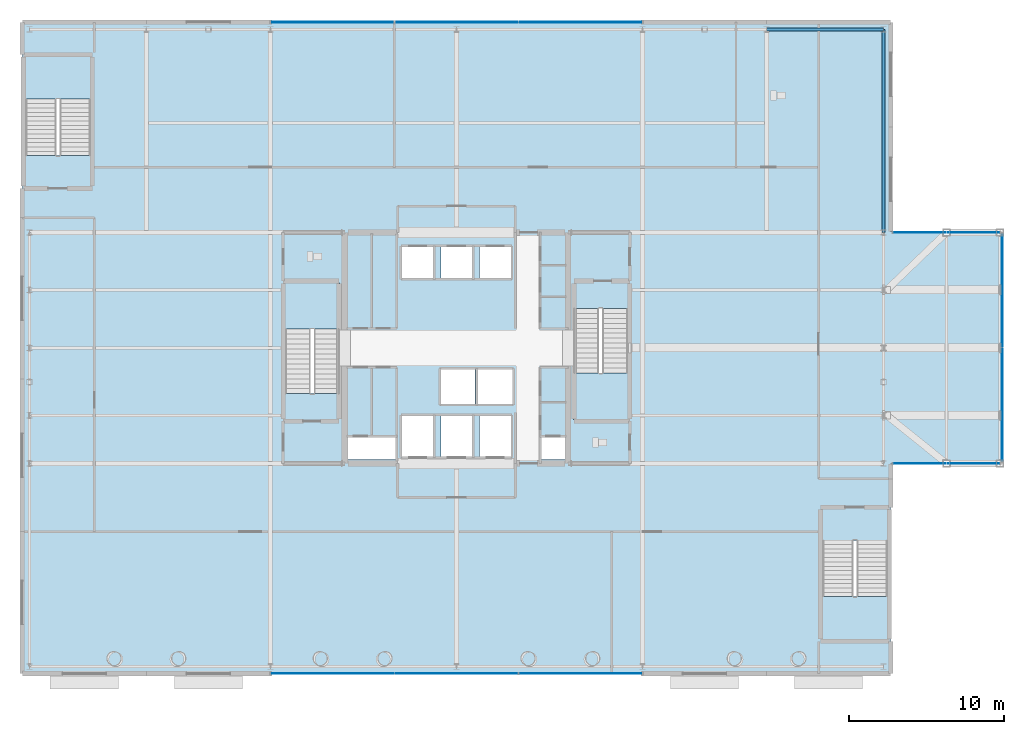
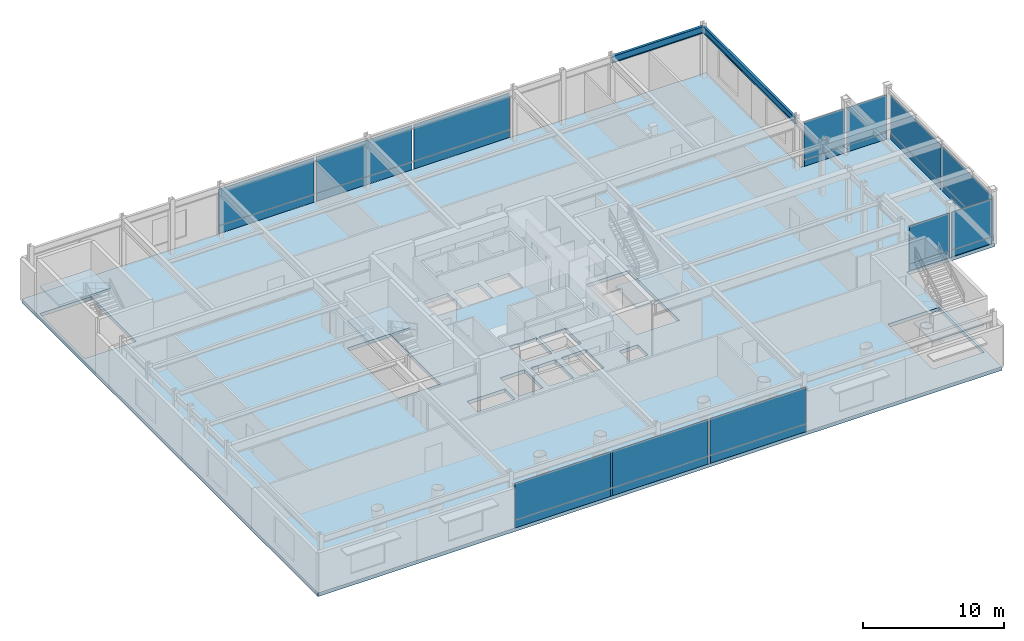
# One storey, part 17 of 26: 24 plates, 5 slabs, 2 beams, 9 elements without a shape of their own.
"""IFC4 building model written with IfcOpenShell, lengths in metres."""

from ifc_helpers import new_model, si_unit, direction, frame, origin, origin_2d, place, context, subcontext, project, spatial, polyline, rectangle, i_section, outline, extrude, material, layer, layer_set, material_profile, profile_set, type_object, element, aggregate, save


model = new_model("IFC4")

# Units and contexts
model_context = context("Model", 3, precision=1e-05, world=origin(), true_north=direction((0.0, 1.0)))
body_context = subcontext(model_context, "Body", "Model", "MODEL_VIEW")
ifc_project = project(units=[si_unit("LENGTHUNIT", "METRE"), si_unit("AREAUNIT", "SQUARE_METRE"), si_unit("VOLUMEUNIT", "CUBIC_METRE"), si_unit("PLANEANGLEUNIT", "RADIAN"), si_unit("MASSUNIT", "GRAM", prefix="KILO")], contexts=[model_context])

# Site, building, storey
site_placement = place(None, origin())
site = spatial("IfcSite", under=ifc_project, at=site_placement, CompositionType="ELEMENT")
building_placement = place(site_placement, origin())
building = spatial("IfcBuilding", under=site, at=building_placement, Name="Veldorina Hangang Commons", CompositionType="ELEMENT")
storey_placement = place(building_placement, frame((0.0, 0.0, 10.0)))
storey = spatial("IfcBuildingStorey", under=building, at=storey_placement, Name="L02", CompositionType="ELEMENT", Elevation=10.0)

# Beams
ifc_material_1 = material(Name="Steel SM420-TMC", Category="steel")
ifc_material_profile = material_profile(ifc_material_1, i_section(OverallWidth=0.199951171875, OverallDepth=0.60009765625, WebThickness=0.010986328125, FlangeThickness=0.01708984375, FilletRadius=0.01806640625, at=origin_2d()), Name="H-600x200x11x17")
ifc_profile_set = profile_set([ifc_material_profile], Name="Steel SM420-TMC")
beam_type = type_object("IfcBeamType", Name="BM-SPN600", PredefinedType="SPANDREL", material=ifc_profile_set)
beam_1_placement = place(storey_placement, frame((52.0, 44.550048828125, 4.199951171875), z_axis=(1.0, 0.0, 0.0), x_axis=(0.0, 1.0, 0.0)))
element("IfcBeam", 1, at=beam_1_placement, inside=storey, type_object=beam_type, Name="L02 north spandrel beam 6", PredefinedType="SPANDREL", context=body_context, shape_type="SweptSolid", body=[
    extrude(i_section(OverallWidth=0.199951171875, OverallDepth=0.60009765625, WebThickness=0.010986328125, FlangeThickness=0.01708984375, FilletRadius=0.01806640625, at=origin_2d()), origin(), (0.0, 0.0, 1.0), 7.550048828125),
])
beam_2_placement = place(storey_placement, frame((59.550048828125, 31.449951171875, 4.199951171875), z_axis=(0.0, 1.0, 0.0), x_axis=(-1.0, 0.0, 0.0)))
element("IfcBeam", 2, at=beam_2_placement, inside=storey, type_object=beam_type, Name="L02 east spandrel beam 6", PredefinedType="SPANDREL", context=body_context, shape_type="SweptSolid", body=[
    extrude(i_section(OverallWidth=0.199951171875, OverallDepth=0.60009765625, WebThickness=0.010986328125, FlangeThickness=0.01708984375, FilletRadius=0.01806640625, at=origin_2d()), origin(), (0.0, 0.0, 1.0), 13.10009765625),
])

# Curtain wall, plates
ifc_material_2 = material(Name="Glass Low-E Triple IGU", Category="glass")
ifc_layer_1 = layer(ifc_material_2, 0.179931640625)
ifc_layer_set_1 = layer_set([ifc_layer_1], Name="Glass Low-E Triple IGU")
curtain_wall_type_1 = type_object("IfcCurtainWallType", Name="CW-SYS-POD", PredefinedType="NOTDEFINED", material=ifc_layer_set_1)
curtain_wall_1_placement = place(storey_placement, origin())
curtain_wall_1 = element("IfcCurtainWall", 3, at=curtain_wall_1_placement, inside=storey, type_object=curtain_wall_type_1, Name="L02 unitised curtain wall CW-L02-S-CTR", PredefinedType="NOTDEFINED")
ifc_material_3 = material(Name="Stone Roman Travertine", Category="masonry")
ifc_layer_2 = layer(ifc_material_3, 0.054931640625)
ifc_layer_set_2 = layer_set([ifc_layer_2], Name="Stone Roman Travertine")
plate_type_1 = type_object("IfcPlateType", Name="CW-PNL-SPN", PredefinedType="USERDEFINED", material=ifc_layer_set_2)
plate_1_placement = place(storey_placement, frame((24.0, 3.0, 0.025146484375), z_axis=(0.0, 0.0, 1.0), x_axis=(1.0, 0.0, 0.0)))
plate_1 = element("IfcPlate", 4, at=plate_1_placement, type_object=plate_type_1, Name="CW-L02-S-CTR facet 1 travertine spandrel panel", ObjectType="SPANDREL", PredefinedType="USERDEFINED", context=body_context, shape_type="SweptSolid", body=[
    extrude(rectangle(XDim=7.820068359375, YDim=0.054931640625, at=origin_2d()), origin(), (0.0, 0.0, 1.0), 0.669921875),
])
plate_2_placement = place(storey_placement, frame((32.0, 3.0, 0.025146484375), z_axis=(0.0, 0.0, 1.0), x_axis=(1.0, 0.0, 0.0)))
plate_2 = element("IfcPlate", 5, at=plate_2_placement, type_object=plate_type_1, Name="CW-L02-S-CTR facet 2 travertine spandrel panel", ObjectType="SPANDREL", PredefinedType="USERDEFINED", context=body_context, shape_type="SweptSolid", body=[
    extrude(rectangle(XDim=7.820068359375, YDim=0.054931640625, at=origin_2d()), origin(), (0.0, 0.0, 1.0), 0.669921875),
])
plate_3_placement = place(storey_placement, frame((40.0, 3.0, 0.025146484375), z_axis=(0.0, 0.0, 1.0), x_axis=(1.0, 0.0, 0.0)))
plate_3 = element("IfcPlate", 6, at=plate_3_placement, type_object=plate_type_1, Name="CW-L02-S-CTR facet 3 travertine spandrel panel", ObjectType="SPANDREL", PredefinedType="USERDEFINED", context=body_context, shape_type="SweptSolid", body=[
    extrude(rectangle(XDim=7.820068359375, YDim=0.054931640625, at=origin_2d()), origin(), (0.0, 0.0, 1.0), 0.669921875),
])

curtain_wall_2_placement = place(storey_placement, origin())
curtain_wall_2 = element("IfcCurtainWall", 7, at=curtain_wall_2_placement, inside=storey, type_object=curtain_wall_type_1, Name="L02 unitised curtain wall CW-L02-N-CTR", PredefinedType="NOTDEFINED")
plate_4_placement = place(storey_placement, frame((40.0, 45.0, 0.025146484375), z_axis=(0.0, 0.0, 1.0), x_axis=(-1.0, 0.0, 0.0)))
plate_4 = element("IfcPlate", 8, at=plate_4_placement, type_object=plate_type_1, Name="CW-L02-N-CTR facet 1 travertine spandrel panel", ObjectType="SPANDREL", PredefinedType="USERDEFINED", context=body_context, shape_type="SweptSolid", body=[
    extrude(rectangle(XDim=7.820068359375, YDim=0.054931640625, at=origin_2d()), origin(), (0.0, 0.0, 1.0), 0.669921875),
])
plate_5_placement = place(storey_placement, frame((32.0, 45.0, 0.025146484375), z_axis=(0.0, 0.0, 1.0), x_axis=(-1.0, 0.0, 0.0)))
plate_5 = element("IfcPlate", 9, at=plate_5_placement, type_object=plate_type_1, Name="CW-L02-N-CTR facet 2 travertine spandrel panel", ObjectType="SPANDREL", PredefinedType="USERDEFINED", context=body_context, shape_type="SweptSolid", body=[
    extrude(rectangle(XDim=7.820068359375, YDim=0.054931640625, at=origin_2d()), origin(), (0.0, 0.0, 1.0), 0.669921875),
])
plate_6_placement = place(storey_placement, frame((24.0, 45.0, 0.025146484375), z_axis=(0.0, 0.0, 1.0), x_axis=(-1.0, 0.0, 0.0)))
plate_6 = element("IfcPlate", 10, at=plate_6_placement, type_object=plate_type_1, Name="CW-L02-N-CTR facet 3 travertine spandrel panel", ObjectType="SPANDREL", PredefinedType="USERDEFINED", context=body_context, shape_type="SweptSolid", body=[
    extrude(rectangle(XDim=7.820068359375, YDim=0.054931640625, at=origin_2d()), origin(), (0.0, 0.0, 1.0), 0.669921875),
])

ifc_material_4 = material(Name="Glass Low-E Solar Control", Category="glass")
ifc_layer_3 = layer(ifc_material_4, 0.179931640625)
ifc_layer_set_3 = layer_set([ifc_layer_3], Name="Glass Low-E Solar Control")
curtain_wall_type_2 = type_object("IfcCurtainWallType", Name="CW-SYS-CANT", PredefinedType="NOTDEFINED", material=ifc_layer_set_3)
curtain_wall_3_placement = place(storey_placement, origin())
curtain_wall_3 = element("IfcCurtainWall", 11, at=curtain_wall_3_placement, inside=storey, type_object=curtain_wall_type_2, Name="L02 unitised curtain wall CW-L02-CANT-S", PredefinedType="NOTDEFINED")
plate_7_placement = place(storey_placement, frame((61.860107421875, 16.550048828125, 0.02490234375), z_axis=(0.0, 0.0, 1.0), x_axis=(1.0, 0.0, 0.0)))
plate_7 = element("IfcPlate", 12, at=plate_7_placement, type_object=plate_type_1, Name="CW-L02-CANT-S facet 1 travertine spandrel panel", ObjectType="SPANDREL", PredefinedType="USERDEFINED", context=body_context, shape_type="SweptSolid", body=[
    extrude(rectangle(XDim=3.300048828125, YDim=0.054931640625, at=origin_2d()), origin(), (0.0, 0.0, 1.0), 0.570068359375),
])
plate_8_placement = place(storey_placement, frame((65.340087890625, 16.550048828125, 0.02490234375), z_axis=(0.0, 0.0, 1.0), x_axis=(1.0, 0.0, 0.0)))
plate_8 = element("IfcPlate", 13, at=plate_8_placement, type_object=plate_type_1, Name="CW-L02-CANT-S facet 2 travertine spandrel panel", ObjectType="SPANDREL", PredefinedType="USERDEFINED", context=body_context, shape_type="SweptSolid", body=[
    extrude(rectangle(XDim=3.300048828125, YDim=0.054931640625, at=origin_2d()), origin(), (0.0, 0.0, 1.0), 0.570068359375),
])

curtain_wall_4_placement = place(storey_placement, origin())
curtain_wall_4 = element("IfcCurtainWall", 14, at=curtain_wall_4_placement, inside=storey, type_object=curtain_wall_type_2, Name="L02 unitised curtain wall CW-L02-CANT-E", PredefinedType="NOTDEFINED")
plate_9_placement = place(storey_placement, frame((67.199951171875, 20.31005859375, 0.02490234375), z_axis=(0.0, 0.0, 1.0), x_axis=(0.0, 1.0, 0.0)))
plate_9 = element("IfcPlate", 15, at=plate_9_placement, type_object=plate_type_1, Name="CW-L02-CANT-E facet 1 travertine spandrel panel", ObjectType="SPANDREL", PredefinedType="USERDEFINED", context=body_context, shape_type="SweptSolid", body=[
    extrude(rectangle(XDim=7.199951171875, YDim=0.054931640625, at=origin_2d()), origin(), (0.0, 0.0, 1.0), 0.570068359375),
])
plate_10_placement = place(storey_placement, frame((67.199951171875, 27.68994140625, 0.02490234375), z_axis=(0.0, 0.0, 1.0), x_axis=(0.0, 1.0, 0.0)))
plate_10 = element("IfcPlate", 16, at=plate_10_placement, type_object=plate_type_1, Name="CW-L02-CANT-E facet 2 travertine spandrel panel", ObjectType="SPANDREL", PredefinedType="USERDEFINED", context=body_context, shape_type="SweptSolid", body=[
    extrude(rectangle(XDim=7.199951171875, YDim=0.054931640625, at=origin_2d()), origin(), (0.0, 0.0, 1.0), 0.570068359375),
])

curtain_wall_5_placement = place(storey_placement, origin())
curtain_wall_5 = element("IfcCurtainWall", 17, at=curtain_wall_5_placement, inside=storey, type_object=curtain_wall_type_2, Name="L02 unitised curtain wall CW-L02-CANT-N", PredefinedType="NOTDEFINED")
plate_11_placement = place(storey_placement, frame((65.340087890625, 31.449951171875, 0.02490234375), z_axis=(0.0, 0.0, 1.0), x_axis=(-1.0, 0.0, 0.0)))
plate_11 = element("IfcPlate", 18, at=plate_11_placement, type_object=plate_type_1, Name="CW-L02-CANT-N facet 1 travertine spandrel panel", ObjectType="SPANDREL", PredefinedType="USERDEFINED", context=body_context, shape_type="SweptSolid", body=[
    extrude(rectangle(XDim=3.300048828125, YDim=0.054931640625, at=origin_2d()), origin(), (0.0, 0.0, 1.0), 0.570068359375),
])
plate_12_placement = place(storey_placement, frame((61.860107421875, 31.449951171875, 0.02490234375), z_axis=(0.0, 0.0, 1.0), x_axis=(-1.0, 0.0, 0.0)))
plate_12 = element("IfcPlate", 19, at=plate_12_placement, type_object=plate_type_1, Name="CW-L02-CANT-N facet 2 travertine spandrel panel", ObjectType="SPANDREL", PredefinedType="USERDEFINED", context=body_context, shape_type="SweptSolid", body=[
    extrude(rectangle(XDim=3.300048828125, YDim=0.054931640625, at=origin_2d()), origin(), (0.0, 0.0, 1.0), 0.570068359375),
])

# Plate
ifc_layer_4 = layer(ifc_material_2, 0.0400390625)
ifc_layer_set_4 = layer_set([ifc_layer_4], Name="Glass Low-E Triple IGU")
plate_type_2 = type_object("IfcPlateType", Name="CW-PNL-VIS", PredefinedType="CURTAIN_PANEL", material=ifc_layer_set_4)
plate_13_placement = place(storey_placement, frame((24.0, 3.0, 0.715087890625), z_axis=(0.0, 0.0, 1.0), x_axis=(1.0, 0.0, 0.0)))
plate_13 = element("IfcPlate", 20, at=plate_13_placement, type_object=plate_type_2, Name="CW-L02-S-CTR facet 1 glazed vision panel", PredefinedType="CURTAIN_PANEL", context=body_context, shape_type="SweptSolid", body=[
    extrude(rectangle(XDim=7.820068359375, YDim=0.0400390625, at=origin_2d()), origin(), (0.0, 0.0, 1.0), 3.14990234375),
])

plate_14_placement = place(storey_placement, frame((32.0, 3.0, 0.715087890625), z_axis=(0.0, 0.0, 1.0), x_axis=(1.0, 0.0, 0.0)))
plate_14 = element("IfcPlate", 21, at=plate_14_placement, type_object=plate_type_2, Name="CW-L02-S-CTR facet 2 glazed vision panel", PredefinedType="CURTAIN_PANEL", context=body_context, shape_type="SweptSolid", body=[
    extrude(rectangle(XDim=7.820068359375, YDim=0.0400390625, at=origin_2d()), origin(), (0.0, 0.0, 1.0), 3.14990234375),
])

plate_15_placement = place(storey_placement, frame((40.0, 3.0, 0.715087890625), z_axis=(0.0, 0.0, 1.0), x_axis=(1.0, 0.0, 0.0)))
plate_15 = element("IfcPlate", 22, at=plate_15_placement, type_object=plate_type_2, Name="CW-L02-S-CTR facet 3 glazed vision panel", PredefinedType="CURTAIN_PANEL", context=body_context, shape_type="SweptSolid", body=[
    extrude(rectangle(XDim=7.820068359375, YDim=0.0400390625, at=origin_2d()), origin(), (0.0, 0.0, 1.0), 3.14990234375),
])

aggregate(curtain_wall_1, [plate_1, plate_13, plate_2, plate_14, plate_3, plate_15])

plate_16_placement = place(storey_placement, frame((40.0, 45.0, 0.715087890625), z_axis=(0.0, 0.0, 1.0), x_axis=(-1.0, 0.0, 0.0)))
plate_16 = element("IfcPlate", 23, at=plate_16_placement, type_object=plate_type_2, Name="CW-L02-N-CTR facet 1 glazed vision panel", PredefinedType="CURTAIN_PANEL", context=body_context, shape_type="SweptSolid", body=[
    extrude(rectangle(XDim=7.820068359375, YDim=0.0400390625, at=origin_2d()), origin(), (0.0, 0.0, 1.0), 3.14990234375),
])

plate_17_placement = place(storey_placement, frame((32.0, 45.0, 0.715087890625), z_axis=(0.0, 0.0, 1.0), x_axis=(-1.0, 0.0, 0.0)))
plate_17 = element("IfcPlate", 24, at=plate_17_placement, type_object=plate_type_2, Name="CW-L02-N-CTR facet 2 glazed vision panel", PredefinedType="CURTAIN_PANEL", context=body_context, shape_type="SweptSolid", body=[
    extrude(rectangle(XDim=7.820068359375, YDim=0.0400390625, at=origin_2d()), origin(), (0.0, 0.0, 1.0), 3.14990234375),
])

plate_18_placement = place(storey_placement, frame((24.0, 45.0, 0.715087890625), z_axis=(0.0, 0.0, 1.0), x_axis=(-1.0, 0.0, 0.0)))
plate_18 = element("IfcPlate", 25, at=plate_18_placement, type_object=plate_type_2, Name="CW-L02-N-CTR facet 3 glazed vision panel", PredefinedType="CURTAIN_PANEL", context=body_context, shape_type="SweptSolid", body=[
    extrude(rectangle(XDim=7.820068359375, YDim=0.0400390625, at=origin_2d()), origin(), (0.0, 0.0, 1.0), 3.14990234375),
])

aggregate(curtain_wall_2, [plate_4, plate_16, plate_5, plate_17, plate_6, plate_18])

plate_19_placement = place(storey_placement, frame((61.860107421875, 16.550048828125, 0.614990234375), z_axis=(0.0, 0.0, 1.0), x_axis=(1.0, 0.0, 0.0)))
plate_19 = element("IfcPlate", 26, at=plate_19_placement, type_object=plate_type_2, Name="CW-L02-CANT-S facet 1 glazed vision panel", PredefinedType="CURTAIN_PANEL", context=body_context, shape_type="SweptSolid", body=[
    extrude(rectangle(XDim=3.300048828125, YDim=0.0400390625, at=origin_2d()), origin(), (0.0, 0.0, 1.0), 3.25),
])

plate_20_placement = place(storey_placement, frame((65.340087890625, 16.550048828125, 0.614990234375), z_axis=(0.0, 0.0, 1.0), x_axis=(1.0, 0.0, 0.0)))
plate_20 = element("IfcPlate", 27, at=plate_20_placement, type_object=plate_type_2, Name="CW-L02-CANT-S facet 2 glazed vision panel", PredefinedType="CURTAIN_PANEL", context=body_context, shape_type="SweptSolid", body=[
    extrude(rectangle(XDim=3.300048828125, YDim=0.0400390625, at=origin_2d()), origin(), (0.0, 0.0, 1.0), 3.25),
])

aggregate(curtain_wall_3, [plate_7, plate_19, plate_8, plate_20])

plate_21_placement = place(storey_placement, frame((67.199951171875, 20.31005859375, 0.614990234375), z_axis=(0.0, 0.0, 1.0), x_axis=(0.0, 1.0, 0.0)))
plate_21 = element("IfcPlate", 28, at=plate_21_placement, type_object=plate_type_2, Name="CW-L02-CANT-E facet 1 glazed vision panel", PredefinedType="CURTAIN_PANEL", context=body_context, shape_type="SweptSolid", body=[
    extrude(rectangle(XDim=7.199951171875, YDim=0.0400390625, at=origin_2d()), origin(), (0.0, 0.0, 1.0), 3.25),
])

plate_22_placement = place(storey_placement, frame((67.199951171875, 27.68994140625, 0.614990234375), z_axis=(0.0, 0.0, 1.0), x_axis=(0.0, 1.0, 0.0)))
plate_22 = element("IfcPlate", 29, at=plate_22_placement, type_object=plate_type_2, Name="CW-L02-CANT-E facet 2 glazed vision panel", PredefinedType="CURTAIN_PANEL", context=body_context, shape_type="SweptSolid", body=[
    extrude(rectangle(XDim=7.199951171875, YDim=0.0400390625, at=origin_2d()), origin(), (0.0, 0.0, 1.0), 3.25),
])

aggregate(curtain_wall_4, [plate_9, plate_21, plate_10, plate_22])

plate_23_placement = place(storey_placement, frame((65.340087890625, 31.449951171875, 0.614990234375), z_axis=(0.0, 0.0, 1.0), x_axis=(-1.0, 0.0, 0.0)))
plate_23 = element("IfcPlate", 30, at=plate_23_placement, type_object=plate_type_2, Name="CW-L02-CANT-N facet 1 glazed vision panel", PredefinedType="CURTAIN_PANEL", context=body_context, shape_type="SweptSolid", body=[
    extrude(rectangle(XDim=3.300048828125, YDim=0.0400390625, at=origin_2d()), origin(), (0.0, 0.0, 1.0), 3.25),
])

plate_24_placement = place(storey_placement, frame((61.860107421875, 31.449951171875, 0.614990234375), z_axis=(0.0, 0.0, 1.0), x_axis=(-1.0, 0.0, 0.0)))
plate_24 = element("IfcPlate", 31, at=plate_24_placement, type_object=plate_type_2, Name="CW-L02-CANT-N facet 2 glazed vision panel", PredefinedType="CURTAIN_PANEL", context=body_context, shape_type="SweptSolid", body=[
    extrude(rectangle(XDim=3.300048828125, YDim=0.0400390625, at=origin_2d()), origin(), (0.0, 0.0, 1.0), 3.25),
])

aggregate(curtain_wall_5, [plate_11, plate_23, plate_12, plate_24])

# Slab
ifc_material_5 = material(Name="Concrete C45/55", Category="concrete")
ifc_layer_5 = layer(ifc_material_5, 0.300048828125)
ifc_layer_set_5 = layer_set([ifc_layer_5], Name="Concrete C45/55")
slab_type_1 = type_object("IfcSlabType", Name="SL-FLR-300", PredefinedType="FLOOR", material=ifc_layer_set_5)
slab_1_placement = place(storey_placement, frame((0.0, 0.0, -0.300048828125)))
element("IfcSlab", 32, at=slab_1_placement, inside=storey, type_object=slab_type_1, Name="L02 podium structural floor slab", PredefinedType="FLOOR", context=body_context, shape_type="SweptSolid", body=[
    extrude(outline(polyline([(4.0, 3.0), (60.0, 3.0), (60.0, 16.5), (67.199951171875, 16.5), (67.199951171875, 31.5), (60.0, 31.5), (60.0, 45.0), (4.0, 45.0), (4.0, 3.0)]), holes=[polyline([(20.949951171875, 21.05810546875), (20.949951171875, 28.199951171875), (24.449951171875, 28.199951171875), (24.449951171875, 21.05810546875), (20.949951171875, 21.05810546875)]), polyline([(43.050048828125, 26.5419921875), (43.050048828125, 19.39990234375), (39.550048828125, 19.39990234375), (39.550048828125, 26.5419921875), (43.050048828125, 26.5419921875)]), polyline([(4.199951171875, 36.407958984375), (4.199951171875, 42.800048828125), (8.39990234375, 42.800048828125), (8.39990234375, 36.407958984375), (4.199951171875, 36.407958984375)]), polyline([(59.800048828125, 11.592041015625), (59.800048828125, 5.199951171875), (55.60009765625, 5.199951171875), (55.60009765625, 11.592041015625), (59.800048828125, 11.592041015625)]), polyline([(28.5, 30.5), (30.5, 30.5), (30.5, 28.5), (28.5, 28.5), (28.5, 30.5)]), polyline([(31.0, 30.5), (33.0, 30.5), (33.0, 28.5), (31.0, 28.5), (31.0, 30.5)]), polyline([(33.5, 30.5), (35.5, 30.5), (35.5, 28.5), (33.5, 28.5), (33.5, 30.5)]), polyline([(31.0, 22.60009765625), (33.199951171875, 22.60009765625), (33.199951171875, 20.39990234375), (31.0, 20.39990234375), (31.0, 22.60009765625)]), polyline([(33.39990234375, 22.60009765625), (35.60009765625, 22.60009765625), (35.60009765625, 20.39990234375), (33.39990234375, 20.39990234375), (33.39990234375, 22.60009765625)]), polyline([(28.5, 19.60009765625), (30.5, 19.60009765625), (30.5, 17.0), (28.5, 17.0), (28.5, 19.60009765625)]), polyline([(31.0, 19.60009765625), (33.0, 19.60009765625), (33.0, 17.0), (31.0, 17.0), (31.0, 19.60009765625)]), polyline([(33.5, 19.60009765625), (35.5, 19.60009765625), (35.5, 17.0), (33.5, 17.0), (33.5, 19.60009765625)]), polyline([(25.0, 18.25), (28.10009765625, 18.25), (28.10009765625, 16.800048828125), (25.0, 16.800048828125), (25.0, 18.25)]), polyline([(37.449951171875, 18.25), (39.0, 18.25), (39.0, 16.800048828125), (37.449951171875, 16.800048828125), (37.449951171875, 18.25)])]), origin(), (0.0, 0.0, 1.0), 0.300048828125),
])

# Stair, slab
ifc_material_6 = material(Name="Concrete C40/50", Category="concrete")
stair_type_1 = type_object("IfcStairType", Name="STR-DOG-1650-28R", PredefinedType="HALF_TURN_STAIR", material=ifc_material_6)
stair_1_placement = place(storey_placement, origin())
stair_1 = element("IfcStair", 33, at=stair_1_placement, inside=storey, type_object=stair_type_1, Name="L02 Exit stair ST-1", PredefinedType="HALF_TURN_STAIR")
ifc_layer_6 = layer(ifc_material_6, 0.199951171875)
ifc_layer_set_6 = layer_set([ifc_layer_6], Name="Concrete C40/50")
slab_type_2 = type_object("IfcSlabType", Name="SL-LND-200", PredefinedType="LANDING", material=ifc_layer_set_6)
slab_2_placement = place(storey_placement, frame((0.0, 0.0, 2.199951171875)))
slab_2 = element("IfcSlab", 34, at=slab_2_placement, type_object=slab_type_2, Name="ST-1 landing 1", PredefinedType="LANDING", context=body_context, shape_type="SweptSolid", body=[
    extrude(outline(polyline([(24.449951171875, 25.2099609375), (24.449951171875, 28.199951171875), (20.949951171875, 28.199951171875), (20.949951171875, 25.2099609375), (24.449951171875, 25.2099609375)])), origin(), (0.0, 0.0, 1.0), 0.199951171875),
])
aggregate(stair_1, [slab_2])

stair_2_placement = place(storey_placement, origin())
stair_2 = element("IfcStair", 35, at=stair_2_placement, inside=storey, type_object=stair_type_1, Name="L02 Exit stair ST-2", PredefinedType="HALF_TURN_STAIR")
slab_3_placement = place(storey_placement, frame((0.0, 0.0, 2.199951171875)))
slab_3 = element("IfcSlab", 36, at=slab_3_placement, type_object=slab_type_2, Name="ST-2 landing 1", PredefinedType="LANDING", context=body_context, shape_type="SweptSolid", body=[
    extrude(outline(polyline([(39.550048828125, 22.389892578125), (39.550048828125, 19.39990234375), (43.050048828125, 19.39990234375), (43.050048828125, 22.389892578125), (39.550048828125, 22.389892578125)])), origin(), (0.0, 0.0, 1.0), 0.199951171875),
])
aggregate(stair_2, [slab_3])

stair_type_2 = type_object("IfcStairType", Name="STR-DOG-2000-28R", PredefinedType="HALF_TURN_STAIR", material=ifc_material_6)
stair_3_placement = place(storey_placement, origin())
stair_3 = element("IfcStair", 37, at=stair_3_placement, inside=storey, type_object=stair_type_2, Name="L02 Exit stair ST-P1", PredefinedType="HALF_TURN_STAIR")
slab_4_placement = place(storey_placement, frame((0.0, 0.0, 2.199951171875)))
slab_4 = element("IfcSlab", 38, at=slab_4_placement, type_object=slab_type_2, Name="ST-P1 landing 1", PredefinedType="LANDING", context=body_context, shape_type="SweptSolid", body=[
    extrude(outline(polyline([(8.39990234375, 40.0400390625), (8.39990234375, 42.800048828125), (4.199951171875, 42.800048828125), (4.199951171875, 40.0400390625), (8.39990234375, 40.0400390625)])), origin(), (0.0, 0.0, 1.0), 0.199951171875),
])
aggregate(stair_3, [slab_4])

stair_4_placement = place(storey_placement, origin())
stair_4 = element("IfcStair", 39, at=stair_4_placement, inside=storey, type_object=stair_type_2, Name="L02 Exit stair ST-P2", PredefinedType="HALF_TURN_STAIR")
slab_5_placement = place(storey_placement, frame((0.0, 0.0, 2.199951171875)))
slab_5 = element("IfcSlab", 40, at=slab_5_placement, type_object=slab_type_2, Name="ST-P2 landing 1", PredefinedType="LANDING", context=body_context, shape_type="SweptSolid", body=[
    extrude(outline(polyline([(55.60009765625, 7.9599609375), (55.60009765625, 5.199951171875), (59.800048828125, 5.199951171875), (59.800048828125, 7.9599609375), (55.60009765625, 7.9599609375)])), origin(), (0.0, 0.0, 1.0), 0.199951171875),
])
aggregate(stair_4, [slab_5])

save(model, "model.ifc")
